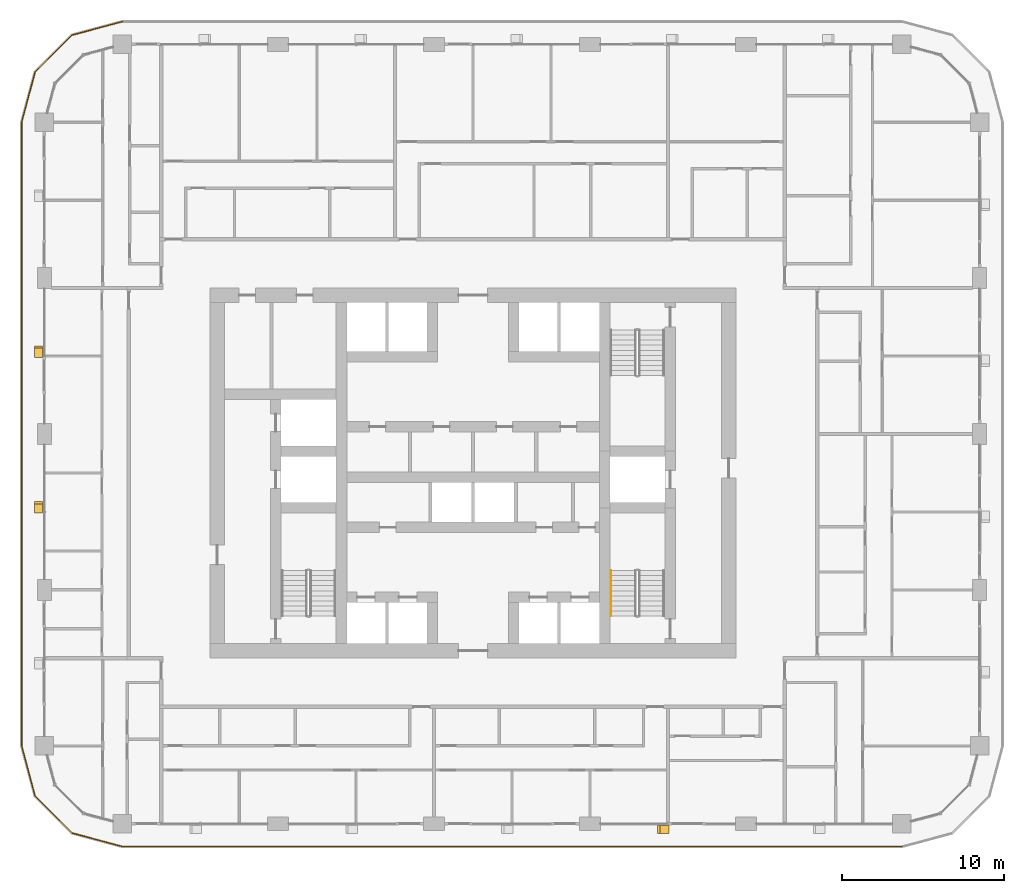
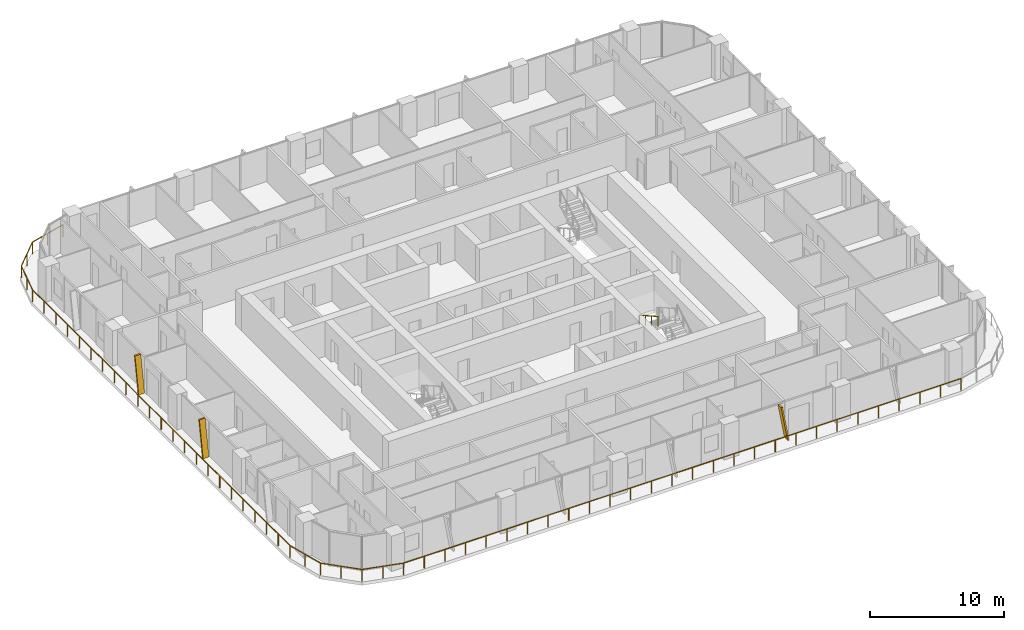
# One storey, part 17 of 21: 3 shading devices, 2 railings.
"""IFC4 building model written with IfcOpenShell, lengths in metres."""

import ifcopenshell
import ifcopenshell.guid

model = None  # the IFC model being written
_history = None  # IfcOwnerHistory: only IFC2X3 demands one
_inside = {}  # id of a spatial element -> (the spatial element, [elements in it])
_under = {}  # id of a project, library or spatial element -> (it, [spatial elements below it])
_declared = {}  # id of a project -> (the project, [libraries it declares])
_typed = {}  # id of a type object -> (the type object, [elements of that type])
_made_of = {}  # id of a material, layer set ... -> (it, [elements and type objects made of it])


def new_model(schema):
    """Start an empty IFC model of exactly this schema.

    Asked for "IFC4X3", IfcOpenShell would pick the latest addendum, in which some entities
    have other attributes; the version numbers below select the first issue.
    IFC2X3 requires an IfcOwnerHistory on every rooted entity: one is made here for all.
    """
    global model, _history
    if schema == "IFC4X3":
        model = ifcopenshell.file(schema_version=(4, 3, 0, 0))
    else:
        model = ifcopenshell.file(schema=schema)
    _inside.clear()
    _under.clear()
    _declared.clear()
    _typed.clear()
    _made_of.clear()
    _history = None
    if model.schema == "IFC2X3":
        org = make("IfcOrganization", Name="unknown")
        user = make(
            "IfcPersonAndOrganization",
            ThePerson=make("IfcPerson", FamilyName="unknown"),
            TheOrganization=org,
        )
        app = make(
            "IfcApplication",
            ApplicationDeveloper=org,
            Version="unknown",
            ApplicationFullName="unknown",
            ApplicationIdentifier="unknown",
        )
        _history = make(
            "IfcOwnerHistory",
            OwningUser=user,
            OwningApplication=app,
            ChangeAction="ADDED",
            CreationDate=0,
        )
    return model


def make(cls, **values):
    """One entity of the class cls with the attributes given. An attribute that is None is left unset."""
    return model.create_entity(
        cls, **{name: value for name, value in values.items() if value is not None}
    )


def rooted(cls, **values):
    """An entity with a GlobalId (a new one), such as an element, a storey or a relation."""
    return make(cls, GlobalId=ifcopenshell.guid.new(), OwnerHistory=_history, **values)


def si_unit(unit_type, name, prefix=None):
    """IfcSIUnit, for example si_unit("LENGTHUNIT", "METRE", prefix="MILLI")."""
    return make("IfcSIUnit", UnitType=unit_type, Prefix=prefix, Name=name)


def assignment(units):
    """IfcUnitAssignment: the units of a project."""
    return None if units is None else make("IfcUnitAssignment", Units=units)


def point(xyz):
    """IfcCartesianPoint."""
    return None if xyz is None else make("IfcCartesianPoint", Coordinates=xyz)


def direction(xyz):
    """IfcDirection."""
    return None if xyz is None else make("IfcDirection", DirectionRatios=xyz)


def frame(location, z_axis=None, x_axis=None):
    """IfcAxis2Placement3D, a coordinate frame: its origin and axes. An axis left out is left unset."""
    return make(
        "IfcAxis2Placement3D",
        Location=point(location),
        Axis=direction(z_axis),
        RefDirection=direction(x_axis),
    )


def frame_2d(location, x_axis=None):
    """IfcAxis2Placement2D, a coordinate frame in the plane: its origin and x axis."""
    return make(
        "IfcAxis2Placement2D", Location=point(location), RefDirection=direction(x_axis)
    )


def origin():
    """The frame at (0, 0, 0) with its axes left unset."""
    return frame((0.0, 0.0, 0.0))


def origin_2d():
    """The frame at (0, 0) in the plane with its x axis left unset."""
    return frame_2d((0.0, 0.0))


def place(relative_to, where):
    """IfcLocalPlacement: puts the frame where relative to a parent placement (None: the world)."""
    return make(
        "IfcLocalPlacement", PlacementRelTo=relative_to, RelativePlacement=where
    )


def context(
    kind, dimensions, precision=None, world=None, true_north=None, identifier=None
):
    """IfcGeometricRepresentationContext, for example the 3D "Model" context."""
    return make(
        "IfcGeometricRepresentationContext",
        ContextIdentifier=identifier,
        ContextType=kind,
        CoordinateSpaceDimension=dimensions,
        Precision=precision,
        WorldCoordinateSystem=world,
        TrueNorth=true_north,
    )


def subcontext(parent, identifier, kind, view, scale=None):
    """IfcGeometricRepresentationSubContext, for example "Body" below "Model"."""
    return make(
        "IfcGeometricRepresentationSubContext",
        ContextIdentifier=identifier,
        ContextType=kind,
        ParentContext=parent,
        TargetScale=scale,
        TargetView=view,
    )


def project(units=None, contexts=None):
    """IfcProject with its units and contexts."""
    return rooted(
        "IfcProject",
        Name="project",
        RepresentationContexts=contexts,
        UnitsInContext=assignment(units),
    )


def spatial(cls, under=None, at=None, **own):
    """A site, building, storey or space (cls), placed at a placement, below another one or the project."""
    s = rooted(cls, ObjectPlacement=at, **own)
    if under is not None:
        _under.setdefault(under.id(), (under, []))[1].append(s)
    return s


def polyline(points):
    """IfcPolyline through the points."""
    return make("IfcPolyline", Points=[point(p) for p in points])


def profile(cls, at=None, kind="AREA", **sizes):
    """A parametric profile (cls). Its sizes go by their IFC names, for example OverallWidth=200.0."""
    return make(cls, ProfileType=kind, Position=at, **sizes)


def circle(**sizes):
    """IfcCircleProfileDef."""
    return profile("IfcCircleProfileDef", **sizes)


def outline(outer, holes=None, kind="AREA"):
    """IfcArbitraryClosedProfileDef: a profile drawn as a closed curve; with holes, ...WithVoids."""
    if holes is None:
        return make("IfcArbitraryClosedProfileDef", ProfileType=kind, OuterCurve=outer)
    return make(
        "IfcArbitraryProfileDefWithVoids",
        ProfileType=kind,
        OuterCurve=outer,
        InnerCurves=holes,
    )


def extrude(swept, where, along, depth):
    """IfcExtrudedAreaSolid: the profile swept, set in the frame where, extruded along a direction by depth."""
    return make(
        "IfcExtrudedAreaSolid",
        SweptArea=swept,
        Position=where,
        ExtrudedDirection=direction(along),
        Depth=depth,
    )


def shape(context_of_items, identifier, shape_type, items):
    """IfcShapeRepresentation: the items that make up one representation, for example the "Body"."""
    return make(
        "IfcShapeRepresentation",
        ContextOfItems=context_of_items,
        RepresentationIdentifier=identifier,
        RepresentationType=shape_type,
        Items=items,
    )


def material(Name=None, Category=None):
    """IfcMaterial."""
    return make("IfcMaterial", Name=Name, Category=Category)


def made_of(thing, what):
    """Note that an element or type object is made of a material, layer set ...; save() writes the relation."""
    if what is not None:
        _made_of.setdefault(what.id(), (what, []))[1].append(thing)
    return thing


def type_object(cls, material=None, **own):
    """A type object (cls), such as IfcWallType, which elements share."""
    return made_of(rooted(cls, **own), material)


def element(
    cls,
    number,
    at=None,
    inside=None,
    cuts=None,
    type_object=None,
    material=None,
    context=None,
    identifier="Body",
    shape_type=None,
    held_by="IfcProductDefinitionShape",
    body=None,
    shapes=None,
    **own,
):
    """One element of the class cls, such as IfcWall. Its Tag is "e" and its number.

    at: its placement. inside: the storey or other place that contains it. cuts: it is an
    opening in that element (IfcRelVoidsElement). A single representation is given by context,
    identifier, shape_type and body (its items); several are given by shapes. held_by: the class
    of the entity that holds the representations. save() writes the other relations.
    """
    e = rooted(cls, Tag="e%d" % number, ObjectPlacement=at, **own)
    if body is not None:
        shapes = [shape(context, identifier, shape_type, body)]
    if shapes is not None:
        e.Representation = make(held_by, Representations=shapes)
    if inside is not None:
        _inside.setdefault(inside.id(), (inside, []))[1].append(e)
    if cuts is not None:
        rooted(
            "IfcRelVoidsElement", RelatingBuildingElement=cuts, RelatedOpeningElement=e
        )
    if type_object is not None:
        _typed.setdefault(type_object.id(), (type_object, []))[1].append(e)
    return made_of(e, material)


def aggregate(whole, parts):
    """IfcRelAggregates: a whole, such as a stair, and the parts it consists of."""
    return rooted("IfcRelAggregates", RelatingObject=whole, RelatedObjects=parts)


def save(model, path):
    """Write the relations noted so far, then the file.

    IfcRelAggregates (storeys below a building ...), IfcRelContainedInSpatialStructure (elements
    in a storey), IfcRelDefinesByType, IfcRelAssociatesMaterial and IfcRelDeclares: one each for
    every whole, place, type object, material and project.
    """
    for whole, parts in _under.values():
        aggregate(whole, parts)
    for where, things in _inside.values():
        rooted(
            "IfcRelContainedInSpatialStructure",
            RelatedElements=things,
            RelatingStructure=where,
        )
    for kind, things in _typed.values():
        rooted("IfcRelDefinesByType", RelatedObjects=things, RelatingType=kind)
    for what, things in _made_of.values():
        rooted("IfcRelAssociatesMaterial", RelatedObjects=things, RelatingMaterial=what)
    for by, libraries in _declared.values():
        rooted("IfcRelDeclares", RelatingContext=by, RelatedDefinitions=libraries)
    model.write(path)


model = new_model("IFC4")

# Units and contexts
model_context = context("Model", 3, precision=1e-05, world=origin(), true_north=direction((0.0, 1.0)))
body_context = subcontext(model_context, "Body", "Model", "MODEL_VIEW")
ifc_project = project(units=[si_unit("LENGTHUNIT", "METRE"), si_unit("AREAUNIT", "SQUARE_METRE"), si_unit("VOLUMEUNIT", "CUBIC_METRE"), si_unit("PLANEANGLEUNIT", "RADIAN"), si_unit("MASSUNIT", "GRAM", prefix="KILO")], contexts=[model_context])

# Site, building, storey
site_placement = place(None, origin())
site = spatial("IfcSite", under=ifc_project, at=site_placement, CompositionType="ELEMENT")
building_placement = place(site_placement, origin())
building = spatial("IfcBuilding", under=site, at=building_placement, Name="Madar Terraces", CompositionType="ELEMENT")
storey_placement = place(building_placement, frame((0.0, 0.0, 92.699951171875)))
storey = spatial("IfcBuildingStorey", under=building, at=storey_placement, Name="L23", CompositionType="ELEMENT", Elevation=92.699951171875)

# Railing
ifc_material_1 = material(Name="Glass, safety glazing, with stainless steel posts", Category="steel")
railing_type_1 = type_object("IfcRailingType", Name="Balcony glass guard 1100", PredefinedType="GUARDRAIL", material=ifc_material_1)
railing_1_placement = place(storey_placement, frame((9.60009765625, 54.199951171875, 0.0)))
element("IfcRailing", 1, at=railing_1_placement, inside=storey, type_object=railing_type_1, Name="Balcony guard", PredefinedType="GUARDRAIL", context=body_context, shape_type="SweptSolid", body=[
    extrude(circle(Radius=0.02392578125, at=origin_2d()), frame((0.0, 0.0, 1.076171875), z_axis=(-0.9659337912, -0.258789317819, 0.0), x_axis=(0.258789317819, -0.9659337912, 0.0)), (0.0, 0.0, 1.0), 3.20947265625),
    extrude(circle(Radius=0.02392578125, at=origin_2d()), frame((-3.10009765625, -0.83056640625, 1.076171875), z_axis=(-0.707106781187, -0.707106781187, 0.0), x_axis=(0.707106781187, -0.707106781187, 0.0)), (0.0, 0.0, 1.0), 3.209228515625),
    extrude(circle(Radius=0.02392578125, at=origin_2d()), frame((-5.369384765625, -3.099853515625, 1.076171875), z_axis=(-0.258860290944, -0.965914773555, 0.0), x_axis=(0.965914773555, -0.258860290944, 0.0)), (0.0, 0.0, 1.0), 3.20947265625),
    extrude(circle(Radius=0.02392578125, at=origin_2d()), frame((-6.2001953125, -6.199951171875, 1.076171875), z_axis=(0.0, -1.0, 0.0), x_axis=(1.0, 0.0, 0.0)), (0.0, 0.0, 1.0), 38.39990234375),
    extrude(circle(Radius=0.02392578125, at=origin_2d()), frame((-6.2001953125, -44.599853515625, 1.076171875), z_axis=(0.258860290944, -0.965914773555, 0.0), x_axis=(0.965914773555, 0.258860290944, 0.0)), (0.0, 0.0, 1.0), 3.20947265625),
    extrude(circle(Radius=0.02392578125, at=origin_2d()), frame((-5.369384765625, -47.699951171875, 1.076171875), z_axis=(0.707106781187, -0.707106781187, 0.0), x_axis=(0.707106781187, 0.707106781187, 0.0)), (0.0, 0.0, 1.0), 3.209228515625),
    extrude(circle(Radius=0.02392578125, at=origin_2d()), frame((-3.10009765625, -49.96923828125, 1.076171875), z_axis=(0.965914773555, -0.258860290944, 0.0), x_axis=(0.258860290944, 0.965914773555, 0.0)), (0.0, 0.0, 1.0), 3.20947265625),
    extrude(circle(Radius=0.02392578125, at=origin_2d()), frame((0.0, -50.800048828125, 1.076171875), z_axis=(1.0, 0.0, 0.0), x_axis=(0.0, 1.0, 0.0)), (0.0, 0.0, 1.0), 48.0),
    extrude(circle(Radius=0.02099609375, at=origin_2d()), origin(), (0.0, 0.0, 1.0), 1.052001953125),
    extrude(circle(Radius=0.02099609375, at=origin_2d()), frame((-1.550048828125, -0.415283203125, 0.0)), (0.0, 0.0, 1.0), 1.052001953125),
    extrude(circle(Radius=0.02099609375, at=origin_2d()), frame((-3.10009765625, -0.83056640625, 0.0)), (0.0, 0.0, 1.0), 1.052001953125),
    extrude(circle(Radius=0.02099609375, at=origin_2d()), frame((-4.23486328125, -1.96533203125, 0.0)), (0.0, 0.0, 1.0), 1.052001953125),
    extrude(circle(Radius=0.02099609375, at=origin_2d()), frame((-5.369384765625, -3.099853515625, 0.0)), (0.0, 0.0, 1.0), 1.052001953125),
    extrude(circle(Radius=0.02099609375, at=origin_2d()), frame((-5.78466796875, -4.64990234375, 0.0)), (0.0, 0.0, 1.0), 1.052001953125),
    extrude(circle(Radius=0.02099609375, at=origin_2d()), frame((-6.2001953125, -6.199951171875, 0.0)), (0.0, 0.0, 1.0), 1.052001953125),
    extrude(circle(Radius=0.02099609375, at=origin_2d()), frame((-6.2001953125, -7.9453125, 0.0)), (0.0, 0.0, 1.0), 1.052001953125),
    extrude(circle(Radius=0.02099609375, at=origin_2d()), frame((-6.2001953125, -9.69091796875, 0.0)), (0.0, 0.0, 1.0), 1.052001953125),
    extrude(circle(Radius=0.02099609375, at=origin_2d()), frame((-6.2001953125, -11.436279296875, 0.0)), (0.0, 0.0, 1.0), 1.052001953125),
    extrude(circle(Radius=0.02099609375, at=origin_2d()), frame((-6.2001953125, -13.181640625, 0.0)), (0.0, 0.0, 1.0), 1.052001953125),
    extrude(circle(Radius=0.02099609375, at=origin_2d()), frame((-6.2001953125, -14.92724609375, 0.0)), (0.0, 0.0, 1.0), 1.052001953125),
    extrude(circle(Radius=0.02099609375, at=origin_2d()), frame((-6.2001953125, -16.672607421875, 0.0)), (0.0, 0.0, 1.0), 1.052001953125),
    extrude(circle(Radius=0.02099609375, at=origin_2d()), frame((-6.2001953125, -18.418212890625, 0.0)), (0.0, 0.0, 1.0), 1.052001953125),
    extrude(circle(Radius=0.02099609375, at=origin_2d()), frame((-6.2001953125, -20.16357421875, 0.0)), (0.0, 0.0, 1.0), 1.052001953125),
    extrude(circle(Radius=0.02099609375, at=origin_2d()), frame((-6.2001953125, -21.908935546875, 0.0)), (0.0, 0.0, 1.0), 1.052001953125),
    extrude(circle(Radius=0.02099609375, at=origin_2d()), frame((-6.2001953125, -23.654541015625, 0.0)), (0.0, 0.0, 1.0), 1.052001953125),
    extrude(circle(Radius=0.02099609375, at=origin_2d()), frame((-6.2001953125, -25.39990234375, 0.0)), (0.0, 0.0, 1.0), 1.052001953125),
    extrude(circle(Radius=0.02099609375, at=origin_2d()), frame((-6.2001953125, -27.145263671875, 0.0)), (0.0, 0.0, 1.0), 1.052001953125),
    extrude(circle(Radius=0.02099609375, at=origin_2d()), frame((-6.2001953125, -28.890869140625, 0.0)), (0.0, 0.0, 1.0), 1.052001953125),
    extrude(circle(Radius=0.02099609375, at=origin_2d()), frame((-6.2001953125, -30.63623046875, 0.0)), (0.0, 0.0, 1.0), 1.052001953125),
    extrude(circle(Radius=0.02099609375, at=origin_2d()), frame((-6.2001953125, -32.381591796875, 0.0)), (0.0, 0.0, 1.0), 1.052001953125),
    extrude(circle(Radius=0.02099609375, at=origin_2d()), frame((-6.2001953125, -34.127197265625, 0.0)), (0.0, 0.0, 1.0), 1.052001953125),
    extrude(circle(Radius=0.02099609375, at=origin_2d()), frame((-6.2001953125, -35.87255859375, 0.0)), (0.0, 0.0, 1.0), 1.052001953125),
    extrude(circle(Radius=0.02099609375, at=origin_2d()), frame((-6.2001953125, -37.6181640625, 0.0)), (0.0, 0.0, 1.0), 1.052001953125),
    extrude(circle(Radius=0.02099609375, at=origin_2d()), frame((-6.2001953125, -39.363525390625, 0.0)), (0.0, 0.0, 1.0), 1.052001953125),
    extrude(circle(Radius=0.02099609375, at=origin_2d()), frame((-6.2001953125, -41.10888671875, 0.0)), (0.0, 0.0, 1.0), 1.052001953125),
    extrude(circle(Radius=0.02099609375, at=origin_2d()), frame((-6.2001953125, -42.8544921875, 0.0)), (0.0, 0.0, 1.0), 1.052001953125),
    extrude(circle(Radius=0.02099609375, at=origin_2d()), frame((-6.2001953125, -44.599853515625, 0.0)), (0.0, 0.0, 1.0), 1.052001953125),
    extrude(circle(Radius=0.02099609375, at=origin_2d()), frame((-5.78466796875, -46.14990234375, 0.0)), (0.0, 0.0, 1.0), 1.052001953125),
    extrude(circle(Radius=0.02099609375, at=origin_2d()), frame((-5.369384765625, -47.699951171875, 0.0)), (0.0, 0.0, 1.0), 1.052001953125),
    extrude(circle(Radius=0.02099609375, at=origin_2d()), frame((-4.23486328125, -48.83447265625, 0.0)), (0.0, 0.0, 1.0), 1.052001953125),
    extrude(circle(Radius=0.02099609375, at=origin_2d()), frame((-3.10009765625, -49.96923828125, 0.0)), (0.0, 0.0, 1.0), 1.052001953125),
    extrude(circle(Radius=0.02099609375, at=origin_2d()), frame((-1.550048828125, -50.384765625, 0.0)), (0.0, 0.0, 1.0), 1.052001953125),
    extrude(circle(Radius=0.02099609375, at=origin_2d()), frame((0.0, -50.800048828125, 0.0)), (0.0, 0.0, 1.0), 1.052001953125),
    extrude(circle(Radius=0.02099609375, at=origin_2d()), frame((1.77783203125, -50.800048828125, 0.0)), (0.0, 0.0, 1.0), 1.052001953125),
    extrude(circle(Radius=0.02099609375, at=origin_2d()), frame((3.5556640625, -50.800048828125, 0.0)), (0.0, 0.0, 1.0), 1.052001953125),
    extrude(circle(Radius=0.02099609375, at=origin_2d()), frame((5.333251953125, -50.800048828125, 0.0)), (0.0, 0.0, 1.0), 1.052001953125),
    extrude(circle(Radius=0.02099609375, at=origin_2d()), frame((7.111083984375, -50.800048828125, 0.0)), (0.0, 0.0, 1.0), 1.052001953125),
    extrude(circle(Radius=0.02099609375, at=origin_2d()), frame((8.888916015625, -50.800048828125, 0.0)), (0.0, 0.0, 1.0), 1.052001953125),
    extrude(circle(Radius=0.02099609375, at=origin_2d()), frame((10.666748046875, -50.800048828125, 0.0)), (0.0, 0.0, 1.0), 1.052001953125),
    extrude(circle(Radius=0.02099609375, at=origin_2d()), frame((12.4443359375, -50.800048828125, 0.0)), (0.0, 0.0, 1.0), 1.052001953125),
    extrude(circle(Radius=0.02099609375, at=origin_2d()), frame((14.22216796875, -50.800048828125, 0.0)), (0.0, 0.0, 1.0), 1.052001953125),
    extrude(circle(Radius=0.02099609375, at=origin_2d()), frame((16.0, -50.800048828125, 0.0)), (0.0, 0.0, 1.0), 1.052001953125),
    extrude(circle(Radius=0.02099609375, at=origin_2d()), frame((17.77783203125, -50.800048828125, 0.0)), (0.0, 0.0, 1.0), 1.052001953125),
    extrude(circle(Radius=0.02099609375, at=origin_2d()), frame((19.5556640625, -50.800048828125, 0.0)), (0.0, 0.0, 1.0), 1.052001953125),
    extrude(circle(Radius=0.02099609375, at=origin_2d()), frame((21.333251953125, -50.800048828125, 0.0)), (0.0, 0.0, 1.0), 1.052001953125),
    extrude(circle(Radius=0.02099609375, at=origin_2d()), frame((23.111083984375, -50.800048828125, 0.0)), (0.0, 0.0, 1.0), 1.052001953125),
    extrude(circle(Radius=0.02099609375, at=origin_2d()), frame((24.888916015625, -50.800048828125, 0.0)), (0.0, 0.0, 1.0), 1.052001953125),
    extrude(circle(Radius=0.02099609375, at=origin_2d()), frame((26.666748046875, -50.800048828125, 0.0)), (0.0, 0.0, 1.0), 1.052001953125),
    extrude(circle(Radius=0.02099609375, at=origin_2d()), frame((28.4443359375, -50.800048828125, 0.0)), (0.0, 0.0, 1.0), 1.052001953125),
    extrude(circle(Radius=0.02099609375, at=origin_2d()), frame((30.22216796875, -50.800048828125, 0.0)), (0.0, 0.0, 1.0), 1.052001953125),
    extrude(circle(Radius=0.02099609375, at=origin_2d()), frame((32.0, -50.800048828125, 0.0)), (0.0, 0.0, 1.0), 1.052001953125),
    extrude(circle(Radius=0.02099609375, at=origin_2d()), frame((33.77783203125, -50.800048828125, 0.0)), (0.0, 0.0, 1.0), 1.052001953125),
    extrude(circle(Radius=0.02099609375, at=origin_2d()), frame((35.5556640625, -50.800048828125, 0.0)), (0.0, 0.0, 1.0), 1.052001953125),
    extrude(circle(Radius=0.02099609375, at=origin_2d()), frame((37.333251953125, -50.800048828125, 0.0)), (0.0, 0.0, 1.0), 1.052001953125),
    extrude(circle(Radius=0.02099609375, at=origin_2d()), frame((39.111083984375, -50.800048828125, 0.0)), (0.0, 0.0, 1.0), 1.052001953125),
    extrude(circle(Radius=0.02099609375, at=origin_2d()), frame((40.888916015625, -50.800048828125, 0.0)), (0.0, 0.0, 1.0), 1.052001953125),
    extrude(circle(Radius=0.02099609375, at=origin_2d()), frame((42.666748046875, -50.800048828125, 0.0)), (0.0, 0.0, 1.0), 1.052001953125),
    extrude(circle(Radius=0.02099609375, at=origin_2d()), frame((44.4443359375, -50.800048828125, 0.0)), (0.0, 0.0, 1.0), 1.052001953125),
    extrude(circle(Radius=0.02099609375, at=origin_2d()), frame((46.22216796875, -50.800048828125, 0.0)), (0.0, 0.0, 1.0), 1.052001953125),
    extrude(circle(Radius=0.02099609375, at=origin_2d()), frame((48.0, -50.800048828125, 0.0)), (0.0, 0.0, 1.0), 1.052001953125),
])

# Shading devices
ifc_material_2 = material(Name="Aluminium, black anodised", Category="aluminium")
shading_device_type = type_object("IfcShadingDeviceType", Name="Facade fin blade 140 x 500", PredefinedType="USERDEFINED", material=ifc_material_2)
shading_device_1_placement = place(storey_placement, frame((43.1298828125, 4.449951171875, 0.0), z_axis=(0.0, 0.0, 1.0), x_axis=(1.0, 0.0, 0.0)))
element("IfcShadingDevice", 2, at=shading_device_1_placement, inside=storey, type_object=shading_device_type, Name="FIN L23 S4", ObjectType="FIN", PredefinedType="USERDEFINED", context=body_context, shape_type="SweptSolid", body=[
    extrude(outline(polyline([(0.0, 0.0), (0.14013671875, 0.0), (-0.42431640625, 3.199951171875), (-0.564208984375, 3.199951171875), (0.0, 0.0)])), frame((0.0, 0.25, 0.0), z_axis=(0.0, -1.0, 0.0), x_axis=(1.0, 0.0, 0.0)), (0.0, 0.0, 1.0), 0.5),
])
shading_device_2_placement = place(storey_placement, frame((4.449951171875, 33.669921875, 0.0), z_axis=(0.0, 0.0, 1.0), x_axis=(0.0, -1.0, 0.0)))
element("IfcShadingDevice", 3, at=shading_device_2_placement, inside=storey, type_object=shading_device_type, Name="FIN L23 W2", ObjectType="FIN", PredefinedType="USERDEFINED", context=body_context, shape_type="SweptSolid", body=[
    extrude(outline(polyline([(0.0, 0.0), (0.139892578125, 0.0), (-0.42431640625, 3.199951171875), (-0.564208984375, 3.199951171875), (0.0, 0.0)])), frame((0.0, 0.25, 0.0), z_axis=(0.0, -1.0, 0.0), x_axis=(1.0, 0.0, 0.0)), (0.0, 0.0, 1.0), 0.5),
])
shading_device_3_placement = place(storey_placement, frame((4.449951171875, 24.070068359375, 0.0), z_axis=(0.0, 0.0, 1.0), x_axis=(0.0, -1.0, 0.0)))
element("IfcShadingDevice", 4, at=shading_device_3_placement, inside=storey, type_object=shading_device_type, Name="FIN L23 W3", ObjectType="FIN", PredefinedType="USERDEFINED", context=body_context, shape_type="SweptSolid", body=[
    extrude(outline(polyline([(0.0, 0.0), (0.14013671875, 0.0), (-0.42431640625, 3.199951171875), (-0.564208984375, 3.199951171875), (0.0, 0.0)])), frame((0.0, 0.25, 0.0), z_axis=(0.0, -1.0, 0.0), x_axis=(1.0, 0.0, 0.0)), (0.0, 0.0, 1.0), 0.5),
])

# Railing
ifc_material_3 = material(Name="Stainless steel railing", Category="steel")
railing_type_2 = type_object("IfcRailingType", Name="Stair handrail 900", PredefinedType="HANDRAIL", material=ifc_material_3)
railing_2_placement = place(storey_placement, frame((39.699951171875, 20.389892578125, 1.925048828125)))
element("IfcRailing", 5, at=railing_2_placement, inside=storey, type_object=railing_type_2, Name="L23 ST3 stair handrail 2", PredefinedType="HANDRAIL", context=body_context, shape_type="SweptSolid", body=[
    extrude(circle(Radius=0.02392578125, at=origin_2d()), frame((0.0, 0.0, 0.8759765625), z_axis=(0.0, -0.870815363784, 0.491610213684), x_axis=(1.0, 0.0, 0.0)), (0.0, 0.0, 1.0), 3.20361328125),
    extrude(circle(Radius=0.02099609375, at=origin_2d()), origin(), (0.0, 0.0, 1.0), 0.851806640625),
    extrude(circle(Radius=0.02099609375, at=origin_2d()), frame((0.0, -0.929931640625, 0.52490234375)), (0.0, 0.0, 1.0), 0.851806640625),
    extrude(circle(Radius=0.02099609375, at=origin_2d()), frame((0.0, -1.85986328125, 1.050048828125)), (0.0, 0.0, 1.0), 0.851806640625),
    extrude(circle(Radius=0.02099609375, at=origin_2d()), frame((0.0, -2.789794921875, 1.574951171875)), (0.0, 0.0, 1.0), 0.851806640625),
])

save(model, "model.ifc")
